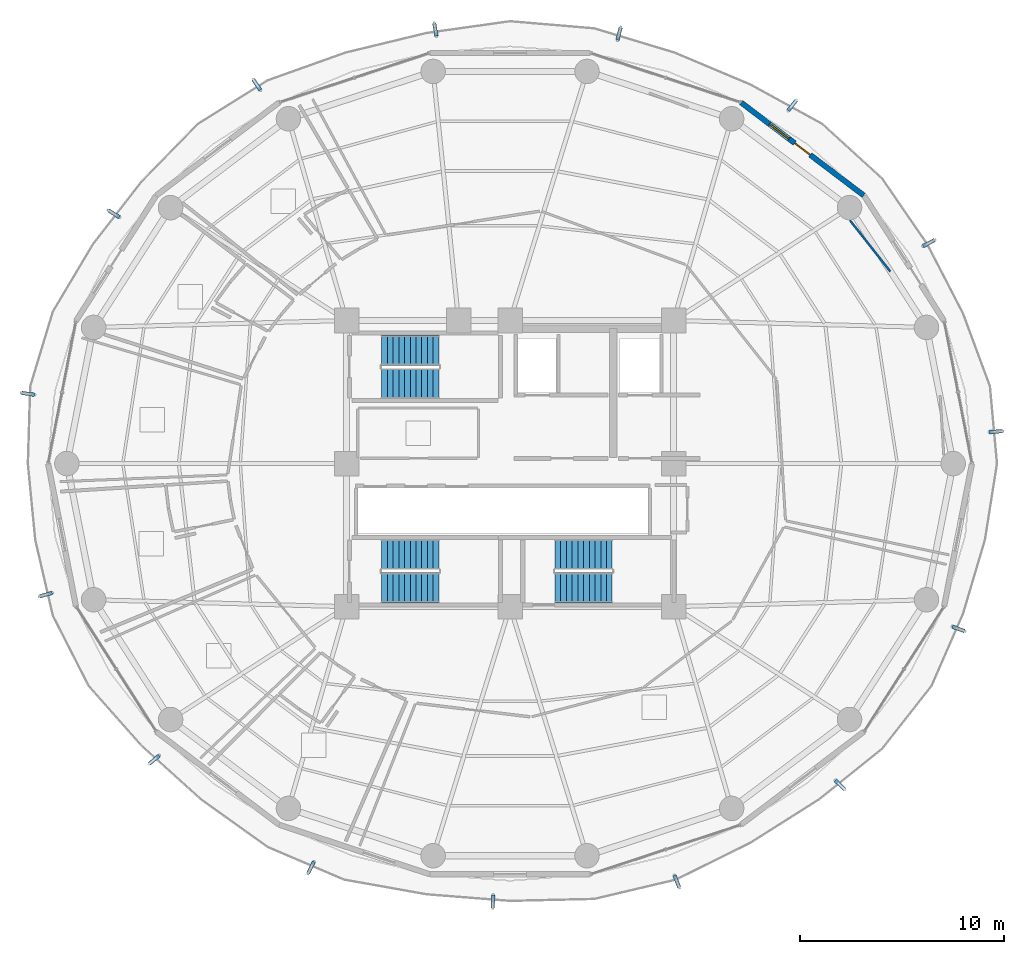
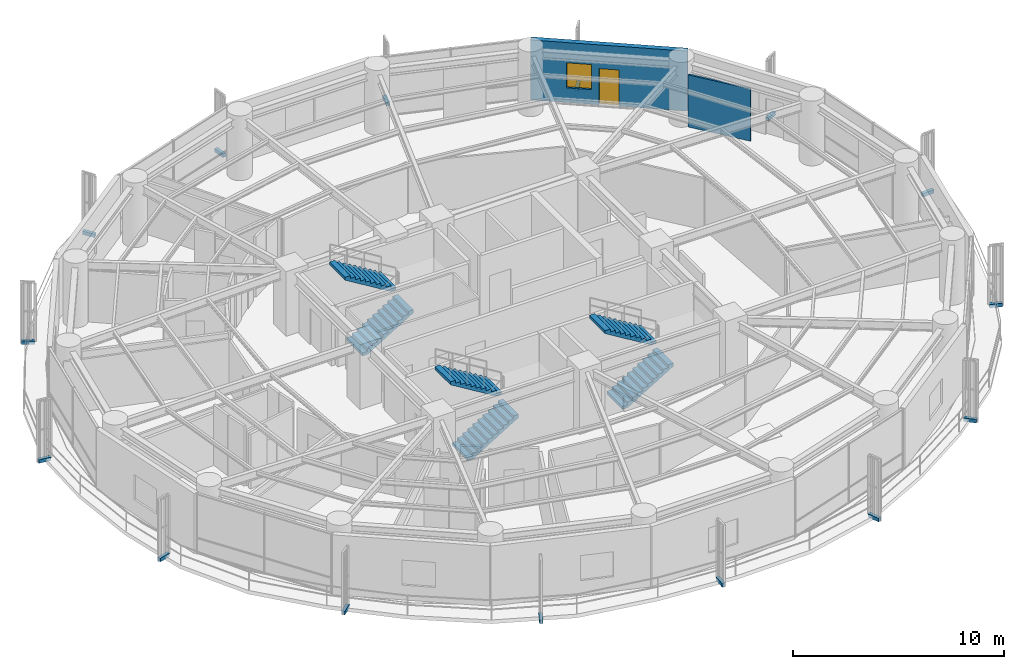
# One storey, part 24 of 27: 15 discrete accessories, 6 stair flights, 2 walls, 1 door, 1 window, 2 openings, 3 elements without a shape of their own.
"""IFC4 building model written with IfcOpenShell, lengths in metres."""

from ifc_helpers import new_model, si_unit, direction, frame, frame_2d, origin, origin_2d, place, context, subcontext, project, spatial, polyline, rectangle, outline, extrude, source, transform, mapped, material, layer, layer_set, type_object, element, fill, aggregate, save


model = new_model("IFC4")

# Units and contexts
model_context = context("Model", 3, precision=1e-05, world=origin(), true_north=direction((0.0, 1.0)))
body_context = subcontext(model_context, "Body", "Model", "MODEL_VIEW")
ifc_project = project(units=[si_unit("LENGTHUNIT", "METRE"), si_unit("AREAUNIT", "SQUARE_METRE"), si_unit("VOLUMEUNIT", "CUBIC_METRE"), si_unit("PLANEANGLEUNIT", "RADIAN"), si_unit("MASSUNIT", "GRAM", prefix="KILO")], contexts=[model_context])

# Site, building, storey
site_placement = place(None, origin())
site = spatial("IfcSite", under=ifc_project, at=site_placement, CompositionType="ELEMENT")
building_placement = place(site_placement, origin())
building = spatial("IfcBuilding", under=site, at=building_placement, Name="Kelanora Arch Commons", CompositionType="ELEMENT")
storey_placement = place(building_placement, frame((0.0, 0.0, 154.35009765625)))
storey = spatial("IfcBuildingStorey", under=building, at=storey_placement, Name="L39", CompositionType="ELEMENT", Elevation=154.35009765625)

# Wall, openings, door, window
ifc_material_1 = material(Name="Precast concrete C40/50 with terracotta rainscreen", Category="masonry")
ifc_layer_1 = layer(ifc_material_1, 0.260009765625)
ifc_layer_set_1 = layer_set([ifc_layer_1], Name="Precast concrete C40/50 with terracotta rainscreen")
wall_type_1 = type_object("IfcWallType", Name="W-EXT-TC", PredefinedType="SOLIDWALL", material=ifc_layer_set_1)
wall_1_placement = place(storey_placement, frame((91.300537109375, 71.1220703125, 0.0), z_axis=(0.0, 0.0, 1.0), x_axis=(-0.797163719609, 0.603763202042, 0.0)))
wall_1 = element("IfcWall", 1, at=wall_1_placement, inside=storey, type_object=wall_type_1, Name="Terracotta Exterior Wall L39-B02", PredefinedType="SOLIDWALL", context=body_context, shape_type="SweptSolid", body=[
    extrude(rectangle(XDim=7.51220703125, YDim=0.260009765625, at=frame_2d((3.756103515625, 0.0))), origin(), (0.0, 0.0, 1.0), 3.474853515625),
])
opening_1_placement = place(wall_1_placement, frame((3.281005859375, 0.0, 0.0)))
opening_1 = element("IfcOpeningElement", 2, at=opening_1_placement, cuts=wall_1, Name="Opening DB-01", PredefinedType="OPENING", context=body_context, shape_type="SweptSolid", body=[
    extrude(rectangle(XDim=0.949951171875, YDim=2.10009765625, at=frame_2d((0.47509765625, 1.050048828125))), frame((0.0, 0.14013671875, 0.0), z_axis=(0.0, -1.0, 0.0), x_axis=(1.0, 0.0, 0.0)), (0.0, 0.0, 1.0), 0.280029296875),
])
opening_2_placement = place(wall_1_placement, frame((4.5810546875, 0.0, 0.85009765625)))
opening_2 = element("IfcOpeningElement", 3, at=opening_2_placement, cuts=wall_1, Name="Opening WN-02", PredefinedType="OPENING", context=body_context, shape_type="SweptSolid", body=[
    extrude(rectangle(XDim=1.199951171875, YDim=1.449951171875, at=frame_2d((0.60009765625, 0.72509765625))), frame((0.0, 0.14013671875, 0.0), z_axis=(0.0, -1.0, 0.0), x_axis=(1.0, 0.0, 0.0)), (0.0, 0.0, 1.0), 0.280029296875),
])
ifc_material_2 = material(Name="Terracotta-aluminium thermally broken glazed balcony door", Category="masonry")
door_type = type_object("IfcDoorType", Name="D-BAL-10", OperationType="NOTDEFINED", PredefinedType="DOOR", material=ifc_material_2)
door_placement = place(opening_1_placement, frame((0.949951171875, 0.0, 0.0), z_axis=(0.0, 0.0, 1.0), x_axis=(-1.0, 0.0, 0.0)))
door = element("IfcDoor", 4, at=door_placement, inside=storey, type_object=door_type, Name="Wave Balcony Door L39-B02", OperationType="SINGLE_SWING_RIGHT", OverallHeight=2.10009765625, OverallWidth=0.949951171875, PredefinedType="DOOR", context=body_context, shape_type="SweptSolid", body=[
    extrude(rectangle(XDim=0.949951171875, YDim=2.10009765625, at=frame_2d((0.47509765625, 1.050048828125))), frame((0.0, 0.02490234375, 0.0), z_axis=(0.0, -1.0, 0.0), x_axis=(1.0, 0.0, 0.0)), (0.0, 0.0, 1.0), 0.050048828125),
])
fill(opening_1, door)
ifc_material_3 = material(Name="Terracotta-anodised aluminium frame with operable awning sash", Category="masonry")
window_type = type_object("IfcWindowType", Name="WIN-CL-12", PartitioningType="SINGLE_PANEL", PredefinedType="WINDOW", material=ifc_material_3)
window_placement = place(opening_2_placement, origin())
window = element("IfcWindow", 5, at=window_placement, inside=storey, type_object=window_type, Name="Co-Living Operable Window L39-B02", OverallHeight=1.449951171875, OverallWidth=1.199951171875, PartitioningType="SINGLE_PANEL", PredefinedType="WINDOW", context=body_context, shape_type="SweptSolid", body=[
    extrude(rectangle(XDim=1.199951171875, YDim=1.449951171875, at=frame_2d((0.60009765625, 0.72509765625))), frame((0.0, 0.030029296875, 0.0), z_axis=(0.0, -1.0, 0.0), x_axis=(1.0, 0.0, 0.0)), (0.0, 0.0, 1.0), 0.06005859375),
])
fill(opening_2, window)

# Wall
ifc_material_4 = material(Name="Lightweight fire-rated acoustic stud partition")
ifc_layer_2 = layer(ifc_material_4, 0.10009765625)
ifc_layer_set_2 = layer_set([ifc_layer_2], Name="Lightweight fire-rated acoustic stud partition")
wall_type_2 = type_object("IfcWallType", Name="W-PART-100", PredefinedType="PARTITIONING", material=ifc_layer_set_2)
wall_2_placement = place(storey_placement, frame((90.6318359375, 69.89697265625, 0.0), z_axis=(0.0, 0.0, 1.0), x_axis=(0.619174528799, -0.78525340043, 0.0)))
element("IfcWall", 6, at=wall_2_placement, inside=storey, type_object=wall_type_2, Name="North-East Shared Cluster Kitchen L39 Enclosure Partition 8", PredefinedType="PARTITIONING", context=body_context, shape_type="SweptSolid", body=[
    extrude(rectangle(XDim=3.185546875, YDim=0.10009765625, at=frame_2d((1.5927734375, 0.0))), origin(), (0.0, 0.0, 1.0), 3.02490234375),
])

# Stair, stair flights
ifc_material_5 = material(Name="Concrete C40/50", Category="concrete")
stair_type = type_object("IfcStairType", Name="STR-DL-375", PredefinedType="HALF_TURN_STAIR", material=ifc_material_5)
stair_1_placement = place(storey_placement, origin())
stair_1 = element("IfcStair", 7, at=stair_1_placement, inside=storey, type_object=stair_type, Name="L39 ST-T1", PredefinedType="HALF_TURN_STAIR")
stair_flight_type = type_object("IfcStairFlightType", Name="FLT-DL-375", PredefinedType="STRAIGHT", material=ifc_material_5)
stair_flight_1_placement = place(storey_placement, frame((67.719970703125, 61.919921875, 0.0), z_axis=(0.0, 0.0, 1.0), x_axis=(1.0, 0.0, 0.0)))
stair_flight_1 = element("IfcStairFlight", 8, at=stair_flight_1_placement, type_object=stair_flight_type, Name="ST-T1 flight 1", NumberOfRisers=11, NumberOfTreads=10, PredefinedType="STRAIGHT", RiserHeight=0.170454545, TreadLength=0.28, context=body_context, shape_type="SweptSolid", body=[
    extrude(outline(polyline([(0.0, 0.0), (0.0, 0.17041015625), (0.280029296875, 0.17041015625), (0.280029296875, 0.3408203125), (0.56005859375, 0.3408203125), (0.56005859375, 0.511474609375), (0.840087890625, 0.511474609375), (0.840087890625, 0.681884765625), (1.1201171875, 0.681884765625), (1.1201171875, 0.852294921875), (1.39990234375, 0.852294921875), (1.39990234375, 1.022705078125), (1.679931640625, 1.022705078125), (1.679931640625, 1.193115234375), (1.9599609375, 1.193115234375), (1.9599609375, 1.363525390625), (2.239990234375, 1.363525390625), (2.239990234375, 1.5341796875), (2.52001953125, 1.5341796875), (2.52001953125, 1.70458984375), (2.800048828125, 1.70458984375), (2.800048828125, 1.875), (2.800048828125, 1.529052734375), (0.288330078125, 0.0), (0.0, 0.0)])), frame((0.0, 0.739990234375, 0.0), z_axis=(0.0, -1.0, 0.0), x_axis=(1.0, 0.0, 0.0)), (0.0, 0.0, 1.0), 1.47998046875),
])
stair_flight_2_placement = place(storey_placement, frame((70.52001953125, 63.550048828125, 1.875), z_axis=(0.0, 0.0, 1.0), x_axis=(-1.0, 0.0, 0.0)))
stair_flight_2 = element("IfcStairFlight", 9, at=stair_flight_2_placement, type_object=stair_flight_type, Name="ST-T1 flight 2", NumberOfRisers=11, NumberOfTreads=10, PredefinedType="STRAIGHT", RiserHeight=0.170454545, TreadLength=0.28, context=body_context, shape_type="SweptSolid", body=[
    extrude(outline(polyline([(0.0, 0.0), (0.0, 0.17041015625), (0.280029296875, 0.17041015625), (0.280029296875, 0.3408203125), (0.56005859375, 0.3408203125), (0.56005859375, 0.511474609375), (0.840087890625, 0.511474609375), (0.840087890625, 0.681884765625), (1.1201171875, 0.681884765625), (1.1201171875, 0.852294921875), (1.39990234375, 0.852294921875), (1.39990234375, 1.022705078125), (1.679931640625, 1.022705078125), (1.679931640625, 1.193115234375), (1.9599609375, 1.193115234375), (1.9599609375, 1.363525390625), (2.239990234375, 1.363525390625), (2.239990234375, 1.5341796875), (2.52001953125, 1.5341796875), (2.52001953125, 1.70458984375), (2.800048828125, 1.70458984375), (2.800048828125, 1.875), (2.800048828125, 1.529052734375), (0.288330078125, 0.0), (0.0, 0.0)])), frame((0.0, 0.739990234375, 0.0), z_axis=(0.0, -1.0, 0.0), x_axis=(1.0, 0.0, 0.0)), (0.0, 0.0, 1.0), 1.47998046875),
])
aggregate(stair_1, [stair_flight_1, stair_flight_2])

stair_2_placement = place(storey_placement, origin())
stair_2 = element("IfcStair", 10, at=stair_2_placement, inside=storey, type_object=stair_type, Name="L39 ST-T2", PredefinedType="HALF_TURN_STAIR")
stair_flight_3_placement = place(storey_placement, frame((76.199951171875, 51.919921875, 0.0), z_axis=(0.0, 0.0, 1.0), x_axis=(1.0, 0.0, 0.0)))
stair_flight_3 = element("IfcStairFlight", 11, at=stair_flight_3_placement, type_object=stair_flight_type, Name="ST-T2 flight 1", NumberOfRisers=11, NumberOfTreads=10, PredefinedType="STRAIGHT", RiserHeight=0.170454545, TreadLength=0.28, context=body_context, shape_type="SweptSolid", body=[
    extrude(outline(polyline([(0.0, 0.0), (0.0, 0.17041015625), (0.280029296875, 0.17041015625), (0.280029296875, 0.3408203125), (0.56005859375, 0.3408203125), (0.56005859375, 0.511474609375), (0.840087890625, 0.511474609375), (0.840087890625, 0.681884765625), (1.1201171875, 0.681884765625), (1.1201171875, 0.852294921875), (1.39990234375, 0.852294921875), (1.39990234375, 1.022705078125), (1.679931640625, 1.022705078125), (1.679931640625, 1.193115234375), (1.9599609375, 1.193115234375), (1.9599609375, 1.363525390625), (2.239990234375, 1.363525390625), (2.239990234375, 1.5341796875), (2.52001953125, 1.5341796875), (2.52001953125, 1.70458984375), (2.800048828125, 1.70458984375), (2.800048828125, 1.875), (2.800048828125, 1.529052734375), (0.288330078125, 0.0), (0.0, 0.0)])), frame((0.0, 0.739990234375, 0.0), z_axis=(0.0, -1.0, 0.0), x_axis=(1.0, 0.0, 0.0)), (0.0, 0.0, 1.0), 1.47998046875),
])
stair_flight_4_placement = place(storey_placement, frame((79.0, 53.550048828125, 1.875), z_axis=(0.0, 0.0, 1.0), x_axis=(-1.0, 0.0, 0.0)))
stair_flight_4 = element("IfcStairFlight", 12, at=stair_flight_4_placement, type_object=stair_flight_type, Name="ST-T2 flight 2", NumberOfRisers=11, NumberOfTreads=10, PredefinedType="STRAIGHT", RiserHeight=0.170454545, TreadLength=0.28, context=body_context, shape_type="SweptSolid", body=[
    extrude(outline(polyline([(0.0, 0.0), (0.0, 0.17041015625), (0.280029296875, 0.17041015625), (0.280029296875, 0.3408203125), (0.56005859375, 0.3408203125), (0.56005859375, 0.511474609375), (0.840087890625, 0.511474609375), (0.840087890625, 0.681884765625), (1.1201171875, 0.681884765625), (1.1201171875, 0.852294921875), (1.39990234375, 0.852294921875), (1.39990234375, 1.022705078125), (1.679931640625, 1.022705078125), (1.679931640625, 1.193115234375), (1.9599609375, 1.193115234375), (1.9599609375, 1.363525390625), (2.239990234375, 1.363525390625), (2.239990234375, 1.5341796875), (2.52001953125, 1.5341796875), (2.52001953125, 1.70458984375), (2.800048828125, 1.70458984375), (2.800048828125, 1.875), (2.800048828125, 1.529052734375), (0.288330078125, 0.0), (0.0, 0.0)])), frame((0.0, 0.739990234375, 0.0), z_axis=(0.0, -1.0, 0.0), x_axis=(1.0, 0.0, 0.0)), (0.0, 0.0, 1.0), 1.47998046875),
])
aggregate(stair_2, [stair_flight_3, stair_flight_4])

stair_3_placement = place(storey_placement, origin())
stair_3 = element("IfcStair", 13, at=stair_3_placement, inside=storey, type_object=stair_type, Name="L39 ST-T3", PredefinedType="HALF_TURN_STAIR")
stair_flight_5_placement = place(storey_placement, frame((67.719970703125, 51.919921875, 0.0), z_axis=(0.0, 0.0, 1.0), x_axis=(1.0, 0.0, 0.0)))
stair_flight_5 = element("IfcStairFlight", 14, at=stair_flight_5_placement, type_object=stair_flight_type, Name="ST-T3 flight 1", NumberOfRisers=11, NumberOfTreads=10, PredefinedType="STRAIGHT", RiserHeight=0.170454545, TreadLength=0.28, context=body_context, shape_type="SweptSolid", body=[
    extrude(outline(polyline([(0.0, 0.0), (0.0, 0.17041015625), (0.280029296875, 0.17041015625), (0.280029296875, 0.3408203125), (0.56005859375, 0.3408203125), (0.56005859375, 0.511474609375), (0.840087890625, 0.511474609375), (0.840087890625, 0.681884765625), (1.1201171875, 0.681884765625), (1.1201171875, 0.852294921875), (1.39990234375, 0.852294921875), (1.39990234375, 1.022705078125), (1.679931640625, 1.022705078125), (1.679931640625, 1.193115234375), (1.9599609375, 1.193115234375), (1.9599609375, 1.363525390625), (2.239990234375, 1.363525390625), (2.239990234375, 1.5341796875), (2.52001953125, 1.5341796875), (2.52001953125, 1.70458984375), (2.800048828125, 1.70458984375), (2.800048828125, 1.875), (2.800048828125, 1.529052734375), (0.288330078125, 0.0), (0.0, 0.0)])), frame((0.0, 0.739990234375, 0.0), z_axis=(0.0, -1.0, 0.0), x_axis=(1.0, 0.0, 0.0)), (0.0, 0.0, 1.0), 1.47998046875),
])
stair_flight_6_placement = place(storey_placement, frame((70.52001953125, 53.550048828125, 1.875), z_axis=(0.0, 0.0, 1.0), x_axis=(-1.0, 0.0, 0.0)))
stair_flight_6 = element("IfcStairFlight", 15, at=stair_flight_6_placement, type_object=stair_flight_type, Name="ST-T3 flight 2", NumberOfRisers=11, NumberOfTreads=10, PredefinedType="STRAIGHT", RiserHeight=0.170454545, TreadLength=0.28, context=body_context, shape_type="SweptSolid", body=[
    extrude(outline(polyline([(0.0, 0.0), (0.0, 0.17041015625), (0.280029296875, 0.17041015625), (0.280029296875, 0.3408203125), (0.56005859375, 0.3408203125), (0.56005859375, 0.511474609375), (0.840087890625, 0.511474609375), (0.840087890625, 0.681884765625), (1.1201171875, 0.681884765625), (1.1201171875, 0.852294921875), (1.39990234375, 0.852294921875), (1.39990234375, 1.022705078125), (1.679931640625, 1.022705078125), (1.679931640625, 1.193115234375), (1.9599609375, 1.193115234375), (1.9599609375, 1.363525390625), (2.239990234375, 1.363525390625), (2.239990234375, 1.5341796875), (2.52001953125, 1.5341796875), (2.52001953125, 1.70458984375), (2.800048828125, 1.70458984375), (2.800048828125, 1.875), (2.800048828125, 1.529052734375), (0.288330078125, 0.0), (0.0, 0.0)])), frame((0.0, 0.739990234375, 0.0), z_axis=(0.0, -1.0, 0.0), x_axis=(1.0, 0.0, 0.0)), (0.0, 0.0, 1.0), 1.47998046875),
])
aggregate(stair_3, [stair_flight_5, stair_flight_6])

# Discrete accessories
ifc_material_6 = material(Name="Stainless steel 316 marine fin bracket", Category="steel")
discrete_accessory_type = type_object("IfcDiscreteAccessoryType", Name="ACC-FIN-BRK", PredefinedType="BRACKET", material=ifc_material_6)
shared_shape = source(origin(), body_context, "Body", "SweptSolid", [
    extrude(rectangle(XDim=0.6328125, YDim=0.179931640625, at=origin_2d()), origin(), (0.0, 0.0, 1.0), 0.199951171875),
])
for number, where, z_axis, x_axis, name in (
    (16, (97.773193359375, 59.564453125, -0.16015625), (0.0, 0.0, 1.0), (0.997836032447, 0.065751443712, 0.0), "Sweeping Fin Cantilever Spine Bracket L39-00"),
    (17, (94.487060546875, 68.78564453125, -0.16015625), (0.0, 0.0, 1.0), (0.884825053421, 0.465923410914, 0.0), "Sweeping Fin Cantilever Spine Bracket L39-01"),
    (18, (87.81103515625, 75.528564453125, -0.16015625), (0.0, 0.0, 1.0), (0.618819784276, 0.785532987588, 0.0), "Sweeping Fin Cantilever Spine Bracket L39-02"),
    (19, (79.334228515625, 79.026611328125, -0.16015625), (0.0, 0.0, 1.0), (0.245814952628, 0.969316774365, 0.0), "Sweeping Fin Cantilever Spine Bracket L39-03"),
    (20, (70.34716796875, 79.22509765625, -0.16015625), (0.0, 0.0, 1.0), (-0.169693517489, 0.985496884887, 0.0), "Sweeping Fin Cantilever Spine Bracket L39-04"),
    (21, (61.60986328125, 76.532470703125, -0.16015625), (0.0, 0.0, 1.0), (-0.555860436814, 0.831275631055, 0.0), "Sweeping Fin Cantilever Spine Bracket L39-05"),
    (22, (54.6240234375, 70.21826171875, -0.16015625), (0.0, 0.0, 1.0), (-0.845820942125, 0.533466900438, 0.0), "Sweeping Fin Cantilever Spine Bracket L39-06"),
    (23, (50.41845703125, 61.412841796875, -0.16015625), (0.0, 0.0, 1.0), (-0.989676415933, 0.143319893055, 0.0), "Sweeping Fin Cantilever Spine Bracket L39-07"),
    (24, (51.2958984375, 51.59033203125, -0.16015625), (0.0, 0.0, 1.0), (-0.962407846499, -0.271608425858, 0.0), "Sweeping Fin Cantilever Spine Bracket L39-08"),
    (25, (56.5927734375, 43.514892578125, -0.16015625), (0.0, 0.0, 1.0), (-0.768730217204, -0.639573180455, 0.0), "Sweeping Fin Cantilever Spine Bracket L39-09"),
    (26, (64.26171875, 38.239501953125, -0.16015625), (0.0, 0.0, 1.0), (-0.44213214966, -0.896949921811, 0.0), "Sweeping Fin Cantilever Spine Bracket L39-10"),
    (27, (73.1640625, 36.57958984375, -0.16015625), (0.0, 0.0, 1.0), (-0.039085416795, -0.999235873152, 0.0), "Sweeping Fin Cantilever Spine Bracket L39-11"),
    (28, (82.158935546875, 37.565185546875, -0.16015625), (0.0, 0.0, 1.0), (0.370719539713, -0.928744864252, 0.0), "Sweeping Fin Cantilever Spine Bracket L39-12"),
    (29, (90.1455078125, 42.280029296875, -0.16015625), (0.0, 0.0, 1.0), (0.716423719924, -0.697665430941, 0.0), "Sweeping Fin Cantilever Spine Bracket L39-13"),
    (30, (95.9375, 49.913330078125, -0.16015625), (0.0, 0.0, 1.0), (0.938251730455, -0.345953306528, 0.0), "Sweeping Fin Cantilever Spine Bracket L39-14"),
):
    element("IfcDiscreteAccessory", number, at=place(storey_placement, frame(where, z_axis=z_axis, x_axis=x_axis)), inside=storey, type_object=discrete_accessory_type, Name=name, PredefinedType="BRACKET", context=body_context, shape_type="MappedRepresentation", body=[
        mapped(shared_shape, transform((0.0, 0.0, 0.0), scale=1.0)),
    ])

save(model, "model.ifc")
